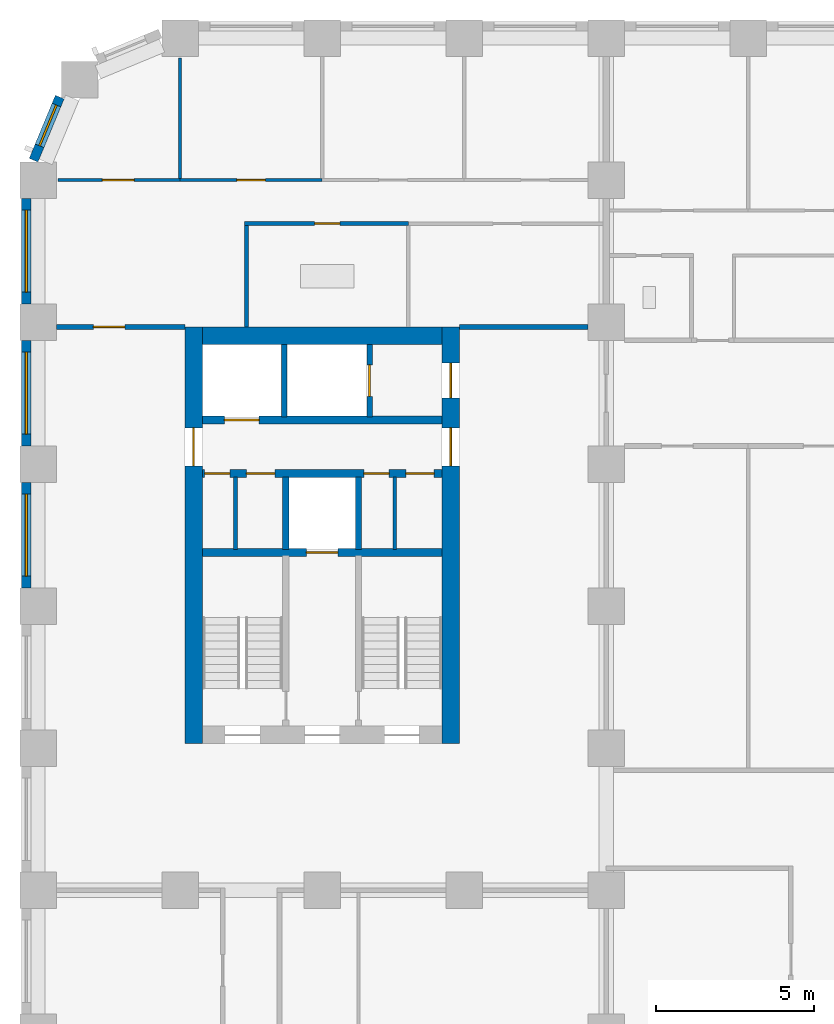
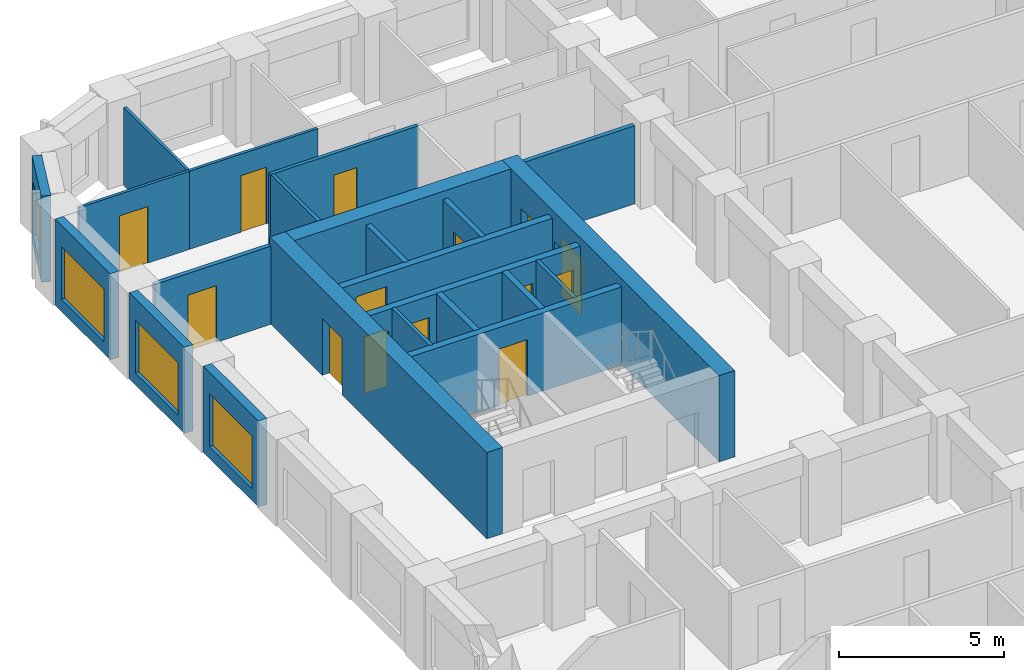
# One storey, part 6 of 13: 23 walls, 14 doors, 4 windows, 18 openings.
"""IFC4 building model written with IfcOpenShell, lengths in metres."""

from ifc_helpers import new_model, si_unit, direction, frame, frame_2d, origin, place, context, subcontext, project, spatial, rectangle, extrude, material, layer, layer_set, type_object, element, fill, save


model = new_model("IFC4")

# Units and contexts
model_context = context("Model", 3, precision=1e-05, world=origin(), true_north=direction((0.0, 1.0)))
body_context = subcontext(model_context, "Body", "Model", "MODEL_VIEW")
ifc_project = project(units=[si_unit("LENGTHUNIT", "METRE"), si_unit("AREAUNIT", "SQUARE_METRE"), si_unit("VOLUMEUNIT", "CUBIC_METRE"), si_unit("PLANEANGLEUNIT", "RADIAN"), si_unit("MASSUNIT", "GRAM", prefix="KILO")], contexts=[model_context])

# Site, building, storey
site_placement = place(None, origin())
site = spatial("IfcSite", under=ifc_project, at=site_placement, CompositionType="ELEMENT")
building_placement = place(site_placement, origin())
building = spatial("IfcBuilding", under=site, at=building_placement, Name="Girih Gate Residences", CompositionType="ELEMENT")
storey_placement = place(building_placement, frame((0.0, 0.0, 96.0)))
storey = spatial("IfcBuildingStorey", under=building, at=storey_placement, Name="L26", CompositionType="ELEMENT", Elevation=96.0)

# Wall, opening, door
ifc_material_1 = material(Name="Gypsum board on steel studs", Category="steel")
ifc_layer_1 = layer(ifc_material_1, 0.14990234375)
ifc_layer_set_1 = layer_set([ifc_layer_1], Name="Compartment wall 150 mm")
wall_type_1 = type_object("IfcWallType", Name="Compartment wall 150 mm", PredefinedType="PARTITIONING", material=ifc_layer_set_1)
wall_1_placement = place(storey_placement, frame((0.574951171875, 40.35009765625, 0.0), z_axis=(0.0, 0.0, 1.0), x_axis=(1.0, 0.0, 0.0)))
wall_1 = element("IfcWall", 1, at=wall_1_placement, inside=storey, type_object=wall_type_1, Name="L26 partition", PredefinedType="PARTITIONING", context=body_context, shape_type="SweptSolid", body=[
    extrude(rectangle(XDim=4.074951171875, YDim=0.14990234375, at=frame_2d((2.03759765625, 0.0))), origin(), (0.0, 0.0, 1.0), 2.89990234375),
])
opening_1_placement = place(wall_1_placement, frame((1.175048828125, 0.0, 0.0)))
opening_1 = element("IfcOpeningElement", 2, at=opening_1_placement, cuts=wall_1, Name="Opening A26-014", PredefinedType="OPENING", context=body_context, shape_type="SweptSolid", body=[
    extrude(rectangle(XDim=1.0, YDim=2.10009765625, at=frame_2d((0.5, 1.050048828125))), frame((0.0, 0.0849609375, 0.0), z_axis=(0.0, -1.0, 0.0), x_axis=(1.0, 0.0, 0.0)), (0.0, 0.0, 1.0), 0.169921875),
])
ifc_material_2 = material(Name="Timber, fire-rated core", Category="wood")
door_type_1 = type_object("IfcDoorType", Name="Flat entrance door 1000x2100 FD30S", OperationType="NOTDEFINED", PredefinedType="DOOR", material=ifc_material_2)
door_1_placement = place(opening_1_placement, origin())
door_1 = element("IfcDoor", 3, at=door_1_placement, inside=storey, type_object=door_type_1, Name="Door A26-014", OperationType="SINGLE_SWING_LEFT", OverallHeight=2.10009765625, OverallWidth=1.0, PredefinedType="DOOR", context=body_context, shape_type="SweptSolid", body=[
    extrude(rectangle(XDim=1.0, YDim=2.10009765625, at=frame_2d((0.5, 1.050048828125))), frame((0.0, 0.02490234375, 0.0), z_axis=(0.0, -1.0, 0.0), x_axis=(1.0, 0.0, 0.0)), (0.0, 0.0, 1.0), 0.050048828125),
])
fill(opening_1, door_1)

# Walls
wall_2_placement = place(storey_placement, frame((13.35009765625, 40.35009765625, 0.0), z_axis=(0.0, 0.0, 1.0), x_axis=(1.0, 0.0, 0.0)))
element("IfcWall", 4, at=wall_2_placement, inside=storey, type_object=wall_type_1, Name="L26 partition", PredefinedType="PARTITIONING", context=body_context, shape_type="SweptSolid", body=[
    extrude(rectangle(XDim=4.074951171875, YDim=0.14990234375, at=frame_2d((2.03759765625, 0.0))), origin(), (0.0, 0.0, 1.0), 2.89990234375),
])
ifc_material_3 = material(Name="Concrete C60/75", Category="concrete")
ifc_layer_2 = layer(ifc_material_3, 0.550048828125)
ifc_layer_set_2 = layer_set([ifc_layer_2], Name="Core wall RC 550 Concrete C60/75")
wall_type_2 = type_object("IfcWallType", Name="Core wall RC 550 Concrete C60/75", PredefinedType="SOLIDWALL", material=ifc_layer_set_2)
wall_3_placement = place(storey_placement, frame((5.199951171875, 40.074951171875, 0.0), z_axis=(0.0, 0.0, 1.0), x_axis=(1.0, 0.0, 0.0)))
element("IfcWall", 5, at=wall_3_placement, inside=storey, type_object=wall_type_2, Name="Core wall W-N L26", PredefinedType="SOLIDWALL", context=body_context, shape_type="SweptSolid", body=[
    extrude(rectangle(XDim=7.60009765625, YDim=0.550048828125, at=frame_2d((3.800048828125, 0.0))), origin(), (0.0, 0.0, 1.0), 3.199951171875),
])

# Wall, opening, door
wall_4_placement = place(storey_placement, frame((4.925048828125, 27.14990234375, 0.0), z_axis=(0.0, 0.0, 1.0), x_axis=(0.0, 1.0, 0.0)))
wall_4 = element("IfcWall", 6, at=wall_4_placement, inside=storey, type_object=wall_type_2, Name="Core wall W-W L26", PredefinedType="SOLIDWALL", context=body_context, shape_type="SweptSolid", body=[
    extrude(rectangle(XDim=13.2001953125, YDim=0.550048828125, at=frame_2d((6.60009765625, 0.0))), origin(), (0.0, 0.0, 1.0), 3.199951171875),
])
opening_2_placement = place(wall_4_placement, frame((8.800048828125, 0.0, 0.0)))
opening_2 = element("IfcOpeningElement", 7, at=opening_2_placement, cuts=wall_4, Name="Opening D-L26-W-014", PredefinedType="OPENING", context=body_context, shape_type="SweptSolid", body=[
    extrude(rectangle(XDim=1.199951171875, YDim=2.10009765625, at=frame_2d((0.60009765625, 1.050048828125))), frame((0.0, 0.284912109375, 0.0), z_axis=(0.0, -1.0, 0.0), x_axis=(1.0, 0.0, 0.0)), (0.0, 0.0, 1.0), 0.570068359375),
])
ifc_material_4 = material(Name="Painted steel, fire-resisting", Category="steel")
door_type_2 = type_object("IfcDoorType", Name="Fire door 1200x2100", OperationType="SINGLE_SWING_LEFT", PredefinedType="DOOR", material=ifc_material_4)
door_2_placement = place(opening_2_placement, origin())
door_2 = element("IfcDoor", 8, at=door_2_placement, inside=storey, type_object=door_type_2, Name="L26 W core door ll-w", OperationType="SINGLE_SWING_LEFT", OverallHeight=2.10009765625, OverallWidth=1.199951171875, PredefinedType="DOOR", context=body_context, shape_type="SweptSolid", body=[
    extrude(rectangle(XDim=1.199951171875, YDim=2.10009765625, at=frame_2d((0.60009765625, 1.050048828125))), frame((0.0, 0.02490234375, 0.0), z_axis=(0.0, -1.0, 0.0), x_axis=(1.0, 0.0, 0.0)), (0.0, 0.0, 1.0), 0.050048828125),
])
fill(opening_2, door_2)

# Wall, openings, doors
wall_5_placement = place(storey_placement, frame((13.074951171875, 27.14990234375, 0.0), z_axis=(0.0, 0.0, 1.0), x_axis=(0.0, 1.0, 0.0)))
wall_5 = element("IfcWall", 9, at=wall_5_placement, inside=storey, type_object=wall_type_2, Name="Core wall W-E L26", PredefinedType="SOLIDWALL", context=body_context, shape_type="SweptSolid", body=[
    extrude(rectangle(XDim=13.2001953125, YDim=0.550048828125, at=frame_2d((6.60009765625, 0.0))), origin(), (0.0, 0.0, 1.0), 3.199951171875),
])
opening_3_placement = place(wall_5_placement, frame((10.949951171875, 0.0, 0.0)))
opening_3 = element("IfcOpeningElement", 10, at=opening_3_placement, cuts=wall_5, Name="Opening D-L26-W-013", PredefinedType="OPENING", context=body_context, shape_type="SweptSolid", body=[
    extrude(rectangle(XDim=1.10009765625, YDim=2.10009765625, at=frame_2d((0.550048828125, 1.050048828125))), frame((0.0, 0.284912109375, 0.0), z_axis=(0.0, -1.0, 0.0), x_axis=(1.0, 0.0, 0.0)), (0.0, 0.0, 1.0), 0.570068359375),
])
opening_4_placement = place(wall_5_placement, frame((8.800048828125, 0.0, 0.0)))
opening_4 = element("IfcOpeningElement", 11, at=opening_4_placement, cuts=wall_5, Name="Opening D-L26-W-015", PredefinedType="OPENING", context=body_context, shape_type="SweptSolid", body=[
    extrude(rectangle(XDim=1.199951171875, YDim=2.10009765625, at=frame_2d((0.60009765625, 1.050048828125))), frame((0.0, 0.284912109375, 0.0), z_axis=(0.0, -1.0, 0.0), x_axis=(1.0, 0.0, 0.0)), (0.0, 0.0, 1.0), 0.570068359375),
])
door_type_3 = type_object("IfcDoorType", Name="Fire door 1100x2100", OperationType="SINGLE_SWING_LEFT", PredefinedType="DOOR", material=ifc_material_4)
door_3_placement = place(opening_3_placement, origin())
door_3 = element("IfcDoor", 12, at=door_3_placement, inside=storey, type_object=door_type_3, Name="L26 W core door ffl2-e", OperationType="SINGLE_SWING_LEFT", OverallHeight=2.10009765625, OverallWidth=1.10009765625, PredefinedType="DOOR", context=body_context, shape_type="SweptSolid", body=[
    extrude(rectangle(XDim=1.10009765625, YDim=2.10009765625, at=frame_2d((0.550048828125, 1.050048828125))), frame((0.0, 0.02490234375, 0.0), z_axis=(0.0, -1.0, 0.0), x_axis=(1.0, 0.0, 0.0)), (0.0, 0.0, 1.0), 0.050048828125),
])
fill(opening_3, door_3)
door_4_placement = place(opening_4_placement, origin())
door_4 = element("IfcDoor", 13, at=door_4_placement, inside=storey, type_object=door_type_2, Name="L26 W core door ll-e", OperationType="SINGLE_SWING_LEFT", OverallHeight=2.10009765625, OverallWidth=1.199951171875, PredefinedType="DOOR", context=body_context, shape_type="SweptSolid", body=[
    extrude(rectangle(XDim=1.199951171875, YDim=2.10009765625, at=frame_2d((0.60009765625, 1.050048828125))), frame((0.0, 0.02490234375, 0.0), z_axis=(0.0, -1.0, 0.0), x_axis=(1.0, 0.0, 0.0)), (0.0, 0.0, 1.0), 0.050048828125),
])
fill(opening_4, door_4)

# Wall, opening, door
ifc_material_5 = material(Name="Concrete C40/50", Category="concrete")
ifc_layer_3 = layer(ifc_material_5, 0.25)
ifc_layer_set_3 = layer_set([ifc_layer_3], Name="Lift shaft wall 250")
wall_type_3 = type_object("IfcWallType", Name="Lift shaft wall 250", PredefinedType="SOLIDWALL", material=ifc_layer_set_3)
wall_6_placement = place(storey_placement, frame((5.199951171875, 33.199951171875, 0.0), z_axis=(0.0, 0.0, 1.0), x_axis=(1.0, 0.0, 0.0)))
wall_6 = element("IfcWall", 14, at=wall_6_placement, inside=storey, type_object=wall_type_3, Name="L26 W core wall H1", PredefinedType="SOLIDWALL", context=body_context, shape_type="SweptSolid", body=[
    extrude(rectangle(XDim=7.60009765625, YDim=0.25, at=frame_2d((3.800048828125, 0.0))), origin(), (0.0, 0.0, 1.0), 2.89990234375),
])
opening_5_placement = place(wall_6_placement, frame((3.300048828125, 0.0, 0.0)))
opening_5 = element("IfcOpeningElement", 15, at=opening_5_placement, cuts=wall_6, Name="Opening D-L26-W-005", PredefinedType="OPENING", context=body_context, shape_type="SweptSolid", body=[
    extrude(rectangle(XDim=1.0, YDim=2.10009765625, at=frame_2d((0.5, 1.050048828125))), frame((0.0, 0.135009765625, 0.0), z_axis=(0.0, -1.0, 0.0), x_axis=(1.0, 0.0, 0.0)), (0.0, 0.0, 1.0), 0.27001953125),
])
ifc_material_6 = material(Name="Stainless steel, fire-resisting", Category="steel")
door_type_4 = type_object("IfcDoorType", Name="Firefighting lift landing door 1000x2100", OperationType="SLIDING_TO_LEFT", PredefinedType="DOOR", material=ifc_material_6)
door_5_placement = place(opening_5_placement, origin())
door_5 = element("IfcDoor", 16, at=door_5_placement, inside=storey, type_object=door_type_4, Name="L26 lift FF-W landing door", OperationType="SLIDING_TO_LEFT", OverallHeight=2.10009765625, OverallWidth=1.0, PredefinedType="DOOR", context=body_context, shape_type="SweptSolid", body=[
    extrude(rectangle(XDim=1.0, YDim=2.10009765625, at=frame_2d((0.5, 1.050048828125))), frame((0.0, 0.02490234375, 0.0), z_axis=(0.0, -1.0, 0.0), x_axis=(1.0, 0.0, 0.0)), (0.0, 0.0, 1.0), 0.050048828125),
])
fill(opening_5, door_5)

# Wall, openings, doors
wall_7_placement = place(storey_placement, frame((5.199951171875, 35.699951171875, 0.0), z_axis=(0.0, 0.0, 1.0), x_axis=(1.0, 0.0, 0.0)))
wall_7 = element("IfcWall", 17, at=wall_7_placement, inside=storey, type_object=wall_type_3, Name="L26 W core wall H2", PredefinedType="SOLIDWALL", context=body_context, shape_type="SweptSolid", body=[
    extrude(rectangle(XDim=7.60009765625, YDim=0.25, at=frame_2d((3.800048828125, 0.0))), origin(), (0.0, 0.0, 1.0), 2.89990234375),
])
opening_6_placement = place(wall_7_placement, frame((0.074951171875, 0.0, 0.0)))
opening_6 = element("IfcOpeningElement", 18, at=opening_6_placement, cuts=wall_7, Name="Opening D-L26-W-006", PredefinedType="OPENING", context=body_context, shape_type="SweptSolid", body=[
    extrude(rectangle(XDim=0.800048828125, YDim=2.10009765625, at=frame_2d((0.39990234375, 1.050048828125))), frame((0.0, 0.135009765625, 0.0), z_axis=(0.0, -1.0, 0.0), x_axis=(1.0, 0.0, 0.0)), (0.0, 0.0, 1.0), 0.27001953125),
])
opening_7_placement = place(wall_7_placement, frame((1.39990234375, 0.0, 0.0)))
opening_7 = element("IfcOpeningElement", 19, at=opening_7_placement, cuts=wall_7, Name="Opening D-L26-W-007", PredefinedType="OPENING", context=body_context, shape_type="SweptSolid", body=[
    extrude(rectangle(XDim=0.89990234375, YDim=2.10009765625, at=frame_2d((0.449951171875, 1.050048828125))), frame((0.0, 0.135009765625, 0.0), z_axis=(0.0, -1.0, 0.0), x_axis=(1.0, 0.0, 0.0)), (0.0, 0.0, 1.0), 0.27001953125),
])
opening_8_placement = place(wall_7_placement, frame((5.125, 0.0, 0.0)))
opening_8 = element("IfcOpeningElement", 20, at=opening_8_placement, cuts=wall_7, Name="Opening D-L26-W-008", PredefinedType="OPENING", context=body_context, shape_type="SweptSolid", body=[
    extrude(rectangle(XDim=0.800048828125, YDim=2.10009765625, at=frame_2d((0.39990234375, 1.050048828125))), frame((0.0, 0.135009765625, 0.0), z_axis=(0.0, -1.0, 0.0), x_axis=(1.0, 0.0, 0.0)), (0.0, 0.0, 1.0), 0.27001953125),
])
opening_9_placement = place(wall_7_placement, frame((6.449951171875, 0.0, 0.0)))
opening_9 = element("IfcOpeningElement", 21, at=opening_9_placement, cuts=wall_7, Name="Opening D-L26-W-009", PredefinedType="OPENING", context=body_context, shape_type="SweptSolid", body=[
    extrude(rectangle(XDim=0.89990234375, YDim=2.10009765625, at=frame_2d((0.449951171875, 1.050048828125))), frame((0.0, 0.135009765625, 0.0), z_axis=(0.0, -1.0, 0.0), x_axis=(1.0, 0.0, 0.0)), (0.0, 0.0, 1.0), 0.27001953125),
])
door_type_5 = type_object("IfcDoorType", Name="Fire door 800x2100", OperationType="SINGLE_SWING_LEFT", PredefinedType="DOOR", material=ifc_material_4)
door_6_placement = place(opening_6_placement, origin())
door_6 = element("IfcDoor", 22, at=door_6_placement, inside=storey, type_object=door_type_5, Name="L26 W cleaners store door", OperationType="SINGLE_SWING_LEFT", OverallHeight=2.10009765625, OverallWidth=0.800048828125, PredefinedType="DOOR", context=body_context, shape_type="SweptSolid", body=[
    extrude(rectangle(XDim=0.800048828125, YDim=2.10009765625, at=frame_2d((0.39990234375, 1.050048828125))), frame((0.0, 0.02490234375, 0.0), z_axis=(0.0, -1.0, 0.0), x_axis=(1.0, 0.0, 0.0)), (0.0, 0.0, 1.0), 0.050048828125),
])
fill(opening_6, door_6)
door_7_placement = place(opening_8_placement, origin())
door_7 = element("IfcDoor", 23, at=door_7_placement, inside=storey, type_object=door_type_5, Name="L26 W electrical room door", OperationType="SINGLE_SWING_LEFT", OverallHeight=2.10009765625, OverallWidth=0.800048828125, PredefinedType="DOOR", context=body_context, shape_type="SweptSolid", body=[
    extrude(rectangle(XDim=0.800048828125, YDim=2.10009765625, at=frame_2d((0.39990234375, 1.050048828125))), frame((0.0, 0.02490234375, 0.0), z_axis=(0.0, -1.0, 0.0), x_axis=(1.0, 0.0, 0.0)), (0.0, 0.0, 1.0), 0.050048828125),
])
fill(opening_8, door_7)
door_type_6 = type_object("IfcDoorType", Name="Fire door 900x2100", OperationType="SINGLE_SWING_LEFT", PredefinedType="DOOR", material=ifc_material_4)
door_8_placement = place(opening_7_placement, origin())
door_8 = element("IfcDoor", 24, at=door_8_placement, inside=storey, type_object=door_type_6, Name="L26 W riser room door", OperationType="SINGLE_SWING_LEFT", OverallHeight=2.10009765625, OverallWidth=0.89990234375, PredefinedType="DOOR", context=body_context, shape_type="SweptSolid", body=[
    extrude(rectangle(XDim=0.89990234375, YDim=2.10009765625, at=frame_2d((0.449951171875, 1.050048828125))), frame((0.0, 0.02490234375, 0.0), z_axis=(0.0, -1.0, 0.0), x_axis=(1.0, 0.0, 0.0)), (0.0, 0.0, 1.0), 0.050048828125),
])
fill(opening_7, door_8)
door_9_placement = place(opening_9_placement, origin())
door_9 = element("IfcDoor", 25, at=door_9_placement, inside=storey, type_object=door_type_6, Name="L26 W linen store door", OperationType="SINGLE_SWING_LEFT", OverallHeight=2.10009765625, OverallWidth=0.89990234375, PredefinedType="DOOR", context=body_context, shape_type="SweptSolid", body=[
    extrude(rectangle(XDim=0.89990234375, YDim=2.10009765625, at=frame_2d((0.449951171875, 1.050048828125))), frame((0.0, 0.02490234375, 0.0), z_axis=(0.0, -1.0, 0.0), x_axis=(1.0, 0.0, 0.0)), (0.0, 0.0, 1.0), 0.050048828125),
])
fill(opening_9, door_9)

# Wall, opening, door
wall_8_placement = place(storey_placement, frame((5.199951171875, 37.39990234375, 0.0), z_axis=(0.0, 0.0, 1.0), x_axis=(1.0, 0.0, 0.0)))
wall_8 = element("IfcWall", 26, at=wall_8_placement, inside=storey, type_object=wall_type_3, Name="L26 W core wall H3", PredefinedType="SOLIDWALL", context=body_context, shape_type="SweptSolid", body=[
    extrude(rectangle(XDim=7.60009765625, YDim=0.25, at=frame_2d((3.800048828125, 0.0))), origin(), (0.0, 0.0, 1.0), 2.89990234375),
])
opening_10_placement = place(wall_8_placement, frame((0.699951171875, 0.0, 0.0)))
opening_10 = element("IfcOpeningElement", 27, at=opening_10_placement, cuts=wall_8, Name="Opening D-L26-W-003", PredefinedType="OPENING", context=body_context, shape_type="SweptSolid", body=[
    extrude(rectangle(XDim=1.10009765625, YDim=2.39990234375, at=frame_2d((0.550048828125, 1.199951171875))), frame((0.0, 0.135009765625, 0.0), z_axis=(0.0, -1.0, 0.0), x_axis=(1.0, 0.0, 0.0)), (0.0, 0.0, 1.0), 0.27001953125),
])
ifc_material_7 = material(Name="Stainless steel", Category="steel")
door_type_7 = type_object("IfcDoorType", Name="Lift landing door 1100x2400", OperationType="SLIDING_TO_LEFT", PredefinedType="DOOR", material=ifc_material_7)
door_10_placement = place(opening_10_placement, origin())
door_10 = element("IfcDoor", 28, at=door_10_placement, inside=storey, type_object=door_type_7, Name="L26 lift LR-W1 landing door", OperationType="SLIDING_TO_LEFT", OverallHeight=2.39990234375, OverallWidth=1.10009765625, PredefinedType="DOOR", context=body_context, shape_type="SweptSolid", body=[
    extrude(rectangle(XDim=1.10009765625, YDim=2.39990234375, at=frame_2d((0.550048828125, 1.199951171875))), frame((0.0, 0.02490234375, 0.0), z_axis=(0.0, -1.0, 0.0), x_axis=(1.0, 0.0, 0.0)), (0.0, 0.0, 1.0), 0.050048828125),
])
fill(opening_10, door_10)

ifc_layer_4 = layer(ifc_material_1, 0.10009765625)
ifc_layer_set_4 = layer_set([ifc_layer_4], Name="Partition 100 mm")
wall_type_4 = type_object("IfcWallType", Name="Partition 100 mm", PredefinedType="PARTITIONING", material=ifc_layer_set_4)
wall_9_placement = place(storey_placement, frame((4.5, 45.0, 0.0), z_axis=(0.0, 0.0, 1.0), x_axis=(1.0, 0.0, 0.0)))
wall_9 = element("IfcWall", 29, at=wall_9_placement, inside=storey, type_object=wall_type_4, Name="L26 partition", PredefinedType="PARTITIONING", context=body_context, shape_type="SweptSolid", body=[
    extrude(rectangle(XDim=4.5, YDim=0.10009765625, at=frame_2d((2.25, 0.0))), origin(), (0.0, 0.0, 1.0), 2.89990234375),
])
opening_11_placement = place(wall_9_placement, frame((1.800048828125, 0.0, 0.0)))
opening_11 = element("IfcOpeningElement", 30, at=opening_11_placement, cuts=wall_9, Name="Opening A26-009", PredefinedType="OPENING", context=body_context, shape_type="SweptSolid", body=[
    extrude(rectangle(XDim=0.89990234375, YDim=2.10009765625, at=frame_2d((0.449951171875, 1.050048828125))), frame((0.0, 0.06005859375, 0.0), z_axis=(0.0, -1.0, 0.0), x_axis=(1.0, 0.0, 0.0)), (0.0, 0.0, 1.0), 0.1201171875),
])
ifc_material_8 = material(Name="Timber", Category="wood")
door_type_8 = type_object("IfcDoorType", Name="Bedroom door 900x2100", OperationType="NOTDEFINED", PredefinedType="DOOR", material=ifc_material_8)
door_11_placement = place(opening_11_placement, origin())
door_11 = element("IfcDoor", 31, at=door_11_placement, inside=storey, type_object=door_type_8, Name="Door A26-009", OperationType="SINGLE_SWING_RIGHT", OverallHeight=2.10009765625, OverallWidth=0.89990234375, PredefinedType="DOOR", context=body_context, shape_type="SweptSolid", body=[
    extrude(rectangle(XDim=0.89990234375, YDim=2.10009765625, at=frame_2d((0.449951171875, 1.050048828125))), frame((0.0, 0.02490234375, 0.0), z_axis=(0.0, -1.0, 0.0), x_axis=(1.0, 0.0, 0.0)), (0.0, 0.0, 1.0), 0.050048828125),
])
fill(opening_11, door_11)

# Wall
wall_10_placement = place(storey_placement, frame((4.5, 45.050048828125, 0.0), z_axis=(0.0, 0.0, 1.0), x_axis=(0.0, 1.0, 0.0)))
element("IfcWall", 32, at=wall_10_placement, inside=storey, type_object=wall_type_4, Name="L26 partition", PredefinedType="PARTITIONING", context=body_context, shape_type="SweptSolid", body=[
    extrude(rectangle(XDim=3.82763671875, YDim=0.10009765625, at=frame_2d((1.913818359375, 0.0))), origin(), (0.0, 0.0, 1.0), 2.89990234375),
])

# Wall, opening, door
wall_11_placement = place(storey_placement, frame((0.622314453125, 45.0, 0.0), z_axis=(0.0, 0.0, 1.0), x_axis=(1.0, 0.0, 0.0)))
wall_11 = element("IfcWall", 33, at=wall_11_placement, inside=storey, type_object=wall_type_4, Name="L26 partition", PredefinedType="PARTITIONING", context=body_context, shape_type="SweptSolid", body=[
    extrude(rectangle(XDim=3.877685546875, YDim=0.10009765625, at=frame_2d((1.93896484375, 0.0))), origin(), (0.0, 0.0, 1.0), 2.89990234375),
])
opening_12_placement = place(wall_11_placement, frame((1.4150390625, 0.0, 0.0)))
opening_12 = element("IfcOpeningElement", 34, at=opening_12_placement, cuts=wall_11, Name="Opening A26-013", PredefinedType="OPENING", context=body_context, shape_type="SweptSolid", body=[
    extrude(rectangle(XDim=1.0, YDim=2.10009765625, at=frame_2d((0.5, 1.050048828125))), frame((0.0, 0.06005859375, 0.0), z_axis=(0.0, -1.0, 0.0), x_axis=(1.0, 0.0, 0.0)), (0.0, 0.0, 1.0), 0.1201171875),
])
door_type_9 = type_object("IfcDoorType", Name="Living room door 1000x2100", OperationType="NOTDEFINED", PredefinedType="DOOR", material=ifc_material_8)
door_12_placement = place(opening_12_placement, origin())
door_12 = element("IfcDoor", 35, at=door_12_placement, inside=storey, type_object=door_type_9, Name="Door A26-013", OperationType="SINGLE_SWING_LEFT", OverallHeight=2.10009765625, OverallWidth=1.0, PredefinedType="DOOR", context=body_context, shape_type="SweptSolid", body=[
    extrude(rectangle(XDim=1.0, YDim=2.10009765625, at=frame_2d((0.5, 1.050048828125))), frame((0.0, 0.02490234375, 0.0), z_axis=(0.0, -1.0, 0.0), x_axis=(1.0, 0.0, 0.0)), (0.0, 0.0, 1.0), 0.050048828125),
])
fill(opening_12, door_12)

# Wall, opening, window
ifc_material_9 = material(Name="Precast concrete C50/60", Category="concrete")
ifc_layer_5 = layer(ifc_material_9, 0.080078125, Name="Outer leaf")
ifc_material_10 = material(Name="Rigid PIR insulation")
ifc_layer_6 = layer(ifc_material_10, 0.14990234375, Name="Insulation")
ifc_material_11 = material(Name="Precast concrete C40/50", Category="concrete")
ifc_layer_7 = layer(ifc_material_11, 0.070068359375, Name="Inner leaf")
ifc_layer_set_5 = layer_set([ifc_layer_5, ifc_layer_6, ifc_layer_7], Name="Precast concrete C50/60 external wall 300")
wall_type_5 = type_object("IfcWallType", Name="Precast concrete C50/60 external wall 300", PredefinedType="SOLIDWALL", material=ifc_layer_set_5)
wall_12_placement = place(storey_placement, frame((-0.14404296875, 45.63232421875, 0.0), z_axis=(0.0, 0.0, 1.0), x_axis=(0.382723818695, 0.923862802911, 0.0)))
wall_12 = element("IfcWall", 36, at=wall_12_placement, inside=storey, type_object=wall_type_5, Name="External wall NW0013_0482.0", PredefinedType="SOLIDWALL", context=body_context, shape_type="SweptSolid", body=[
    extrude(rectangle(XDim=2.163818359375, YDim=0.300048828125, at=frame_2d((1.08203125, 0.0))), origin(), (0.0, 0.0, 1.0), 3.199951171875),
])
opening_13_placement = place(wall_12_placement, frame((0.492919921875, 0.0, 0.449951171875)))
opening_13 = element("IfcOpeningElement", 37, at=opening_13_placement, cuts=wall_12, Name="Opening W-2D", PredefinedType="OPENING", context=body_context, shape_type="SweptSolid", body=[
    extrude(rectangle(XDim=1.39990234375, YDim=1.949951171875, at=frame_2d((0.699951171875, 0.97509765625))), frame((0.0, 0.159912109375, 0.0), z_axis=(0.0, -1.0, 0.0), x_axis=(1.0, 0.0, 0.0)), (0.0, 0.0, 1.0), 0.320068359375),
])
ifc_material_12 = material(Name="Double glazing in aluminium frame", Category="aluminium")
window_type_1 = type_object("IfcWindowType", Name="Window W-2D 1400x1950", PartitioningType="SINGLE_PANEL", PredefinedType="WINDOW", material=ifc_material_12)
window_1_placement = place(opening_13_placement, origin())
window_1 = element("IfcWindow", 38, at=window_1_placement, inside=storey, type_object=window_type_1, Name="Window W-2D NW0013_0482.0", OverallHeight=1.949951171875, OverallWidth=1.39990234375, PartitioningType="SINGLE_PANEL", PredefinedType="WINDOW", context=body_context, shape_type="SweptSolid", body=[
    extrude(rectangle(XDim=1.39990234375, YDim=1.949951171875, at=frame_2d((0.699951171875, 0.97509765625))), frame((0.0, 0.030029296875, 0.0), z_axis=(0.0, -1.0, 0.0), x_axis=(1.0, 0.0, 0.0)), (0.0, 0.0, 1.0), 0.06005859375),
])
fill(opening_13, window_1)

wall_13_placement = place(storey_placement, frame((-0.375, 41.074951171875, 0.0), z_axis=(0.0, 0.0, 1.0), x_axis=(0.0, 1.0, 0.0)))
wall_13 = element("IfcWall", 39, at=wall_13_placement, inside=storey, type_object=wall_type_5, Name="External wall W0000_0450.0", PredefinedType="SOLIDWALL", context=body_context, shape_type="SweptSolid", body=[
    extrude(rectangle(XDim=3.35009765625, YDim=0.300048828125, at=frame_2d((1.675048828125, 0.0))), origin(), (0.0, 0.0, 1.0), 3.199951171875),
])
opening_14_placement = place(wall_13_placement, frame((0.375, 0.0, 0.449951171875)))
opening_14 = element("IfcOpeningElement", 40, at=opening_14_placement, cuts=wall_13, Name="Opening W-1A", PredefinedType="OPENING", context=body_context, shape_type="SweptSolid", body=[
    extrude(rectangle(XDim=2.60009765625, YDim=1.949951171875, at=frame_2d((1.300048828125, 0.97509765625))), frame((0.0, 0.159912109375, 0.0), z_axis=(0.0, -1.0, 0.0), x_axis=(1.0, 0.0, 0.0)), (0.0, 0.0, 1.0), 0.320068359375),
])
window_type_2 = type_object("IfcWindowType", Name="Window W-1A 2600x1950", PartitioningType="SINGLE_PANEL", PredefinedType="WINDOW", material=ifc_material_12)
window_2_placement = place(opening_14_placement, origin())
window_2 = element("IfcWindow", 41, at=window_2_placement, inside=storey, type_object=window_type_2, Name="Window W-1A W0000_0450.0", OverallHeight=1.949951171875, OverallWidth=2.60009765625, PartitioningType="SINGLE_PANEL", PredefinedType="WINDOW", context=body_context, shape_type="SweptSolid", body=[
    extrude(rectangle(XDim=2.60009765625, YDim=1.949951171875, at=frame_2d((1.300048828125, 0.97509765625))), frame((0.0, 0.030029296875, 0.0), z_axis=(0.0, -1.0, 0.0), x_axis=(1.0, 0.0, 0.0)), (0.0, 0.0, 1.0), 0.06005859375),
])
fill(opening_14, window_2)

wall_14_placement = place(storey_placement, frame((-0.375, 36.574951171875, 0.0), z_axis=(0.0, 0.0, 1.0), x_axis=(0.0, 1.0, 0.0)))
wall_14 = element("IfcWall", 42, at=wall_14_placement, inside=storey, type_object=wall_type_5, Name="External wall W0000_0450.1", PredefinedType="SOLIDWALL", context=body_context, shape_type="SweptSolid", body=[
    extrude(rectangle(XDim=3.35009765625, YDim=0.300048828125, at=frame_2d((1.675048828125, 0.0))), origin(), (0.0, 0.0, 1.0), 3.199951171875),
])
opening_15_placement = place(wall_14_placement, frame((0.375, 0.0, 0.449951171875)))
opening_15 = element("IfcOpeningElement", 43, at=opening_15_placement, cuts=wall_14, Name="Opening W-1A", PredefinedType="OPENING", context=body_context, shape_type="SweptSolid", body=[
    extrude(rectangle(XDim=2.60009765625, YDim=1.949951171875, at=frame_2d((1.300048828125, 0.97509765625))), frame((0.0, 0.159912109375, 0.0), z_axis=(0.0, -1.0, 0.0), x_axis=(1.0, 0.0, 0.0)), (0.0, 0.0, 1.0), 0.320068359375),
])
window_3_placement = place(opening_15_placement, origin())
window_3 = element("IfcWindow", 44, at=window_3_placement, inside=storey, type_object=window_type_2, Name="Window W-1A W0000_0450.1", OverallHeight=1.949951171875, OverallWidth=2.60009765625, PartitioningType="SINGLE_PANEL", PredefinedType="WINDOW", context=body_context, shape_type="SweptSolid", body=[
    extrude(rectangle(XDim=2.60009765625, YDim=1.949951171875, at=frame_2d((1.300048828125, 0.97509765625))), frame((0.0, 0.030029296875, 0.0), z_axis=(0.0, -1.0, 0.0), x_axis=(1.0, 0.0, 0.0)), (0.0, 0.0, 1.0), 0.06005859375),
])
fill(opening_15, window_3)

wall_15_placement = place(storey_placement, frame((-0.375, 32.074951171875, 0.0), z_axis=(0.0, 0.0, 1.0), x_axis=(0.0, 1.0, 0.0)))
wall_15 = element("IfcWall", 45, at=wall_15_placement, inside=storey, type_object=wall_type_5, Name="External wall W0000_0450.2", PredefinedType="SOLIDWALL", context=body_context, shape_type="SweptSolid", body=[
    extrude(rectangle(XDim=3.35009765625, YDim=0.300048828125, at=frame_2d((1.675048828125, 0.0))), origin(), (0.0, 0.0, 1.0), 3.199951171875),
])
opening_16_placement = place(wall_15_placement, frame((0.375, 0.0, 0.449951171875)))
opening_16 = element("IfcOpeningElement", 46, at=opening_16_placement, cuts=wall_15, Name="Opening W-1A", PredefinedType="OPENING", context=body_context, shape_type="SweptSolid", body=[
    extrude(rectangle(XDim=2.60009765625, YDim=1.949951171875, at=frame_2d((1.300048828125, 0.97509765625))), frame((0.0, 0.159912109375, 0.0), z_axis=(0.0, -1.0, 0.0), x_axis=(1.0, 0.0, 0.0)), (0.0, 0.0, 1.0), 0.320068359375),
])
window_4_placement = place(opening_16_placement, origin())
window_4 = element("IfcWindow", 47, at=window_4_placement, inside=storey, type_object=window_type_2, Name="Window W-1A W0000_0450.2", OverallHeight=1.949951171875, OverallWidth=2.60009765625, PartitioningType="SINGLE_PANEL", PredefinedType="WINDOW", context=body_context, shape_type="SweptSolid", body=[
    extrude(rectangle(XDim=2.60009765625, YDim=1.949951171875, at=frame_2d((1.300048828125, 0.97509765625))), frame((0.0, 0.030029296875, 0.0), z_axis=(0.0, -1.0, 0.0), x_axis=(1.0, 0.0, 0.0)), (0.0, 0.0, 1.0), 0.06005859375),
])
fill(opening_16, window_4)

# Wall
ifc_layer_8 = layer(ifc_material_5, 0.175048828125)
ifc_layer_set_6 = layer_set([ifc_layer_8], Name="Riser shaft wall 175")
wall_type_6 = type_object("IfcWallType", Name="Riser shaft wall 175", PredefinedType="SOLIDWALL", material=ifc_layer_set_6)
wall_16_placement = place(storey_placement, frame((7.800048828125, 37.5, 0.0), z_axis=(0.0, 0.0, 1.0), x_axis=(0.0, 1.0, 0.0)))
element("IfcWall", 48, at=wall_16_placement, inside=storey, type_object=wall_type_6, Name="L26 W core wall V1c", PredefinedType="SOLIDWALL", context=body_context, shape_type="SweptSolid", body=[
    extrude(rectangle(XDim=2.300048828125, YDim=0.175048828125, at=frame_2d((1.14990234375, 0.0))), origin(), (0.0, 0.0, 1.0), 2.89990234375),
])

# Wall, opening, door
wall_17_placement = place(storey_placement, frame((10.5, 37.5, 0.0), z_axis=(0.0, 0.0, 1.0), x_axis=(0.0, 1.0, 0.0)))
wall_17 = element("IfcWall", 49, at=wall_17_placement, inside=storey, type_object=wall_type_6, Name="L26 W core wall V2c", PredefinedType="SOLIDWALL", context=body_context, shape_type="SweptSolid", body=[
    extrude(rectangle(XDim=2.300048828125, YDim=0.175048828125, at=frame_2d((1.14990234375, 0.0))), origin(), (0.0, 0.0, 1.0), 2.89990234375),
])
opening_17_placement = place(wall_17_placement, frame((0.64990234375, 0.0, 0.0)))
opening_17 = element("IfcOpeningElement", 50, at=opening_17_placement, cuts=wall_17, Name="Opening D-L26-W-004", PredefinedType="OPENING", context=body_context, shape_type="SweptSolid", body=[
    extrude(rectangle(XDim=1.0, YDim=2.10009765625, at=frame_2d((0.5, 1.050048828125))), frame((0.0, 0.097412109375, 0.0), z_axis=(0.0, -1.0, 0.0), x_axis=(1.0, 0.0, 0.0)), (0.0, 0.0, 1.0), 0.195068359375),
])
door_13_placement = place(opening_17_placement, origin())
door_13 = element("IfcDoor", 51, at=door_13_placement, inside=storey, type_object=door_type_4, Name="L26 lift FF-W2 landing door", OperationType="SLIDING_TO_LEFT", OverallHeight=2.10009765625, OverallWidth=1.0, PredefinedType="DOOR", context=body_context, shape_type="SweptSolid", body=[
    extrude(rectangle(XDim=1.0, YDim=2.10009765625, at=frame_2d((0.5, 1.050048828125))), frame((0.0, 0.02490234375, 0.0), z_axis=(0.0, -1.0, 0.0), x_axis=(1.0, 0.0, 0.0)), (0.0, 0.0, 1.0), 0.050048828125),
])
fill(opening_17, door_13)

# Walls
ifc_layer_9 = layer(ifc_material_5, 0.199951171875)
ifc_layer_set_7 = layer_set([ifc_layer_9], Name="Shaft wall 200")
wall_type_7 = type_object("IfcWallType", Name="Shaft wall 200", PredefinedType="SOLIDWALL", material=ifc_layer_set_7)
for number, where, z_axis, x_axis, name in (
    (52, (7.85009765625, 33.300048828125, 0.0), (0.0, 0.0, 1.0), (0.0, 1.0, 0.0), "L26 W core wall V1b"),
    (53, (10.14990234375, 33.300048828125, 0.0), (0.0, 0.0, 1.0), (0.0, 1.0, 0.0), "L26 W core wall V2b"),
):
    element("IfcWall", number, at=place(storey_placement, frame(where, z_axis=z_axis, x_axis=x_axis)), inside=storey, type_object=wall_type_7, Name=name, PredefinedType="SOLIDWALL", context=body_context, shape_type="SweptSolid", body=[
        extrude(rectangle(XDim=2.300048828125, YDim=0.199951171875, at=frame_2d((1.14990234375, 0.0))), origin(), (0.0, 0.0, 1.0), 2.89990234375),
    ])
ifc_material_13 = material(Name="Calcium silicate blockwork", Category="masonry")
ifc_layer_10 = layer(ifc_material_13, 0.125)
ifc_layer_set_8 = layer_set([ifc_layer_10], Name="Store partition 125")
wall_type_8 = type_object("IfcWallType", Name="Store partition 125", PredefinedType="PARTITIONING", material=ifc_layer_set_8)
for number, where, z_axis, x_axis, name in (
    (54, (6.25, 33.300048828125, 0.0), (0.0, 0.0, 1.0), (0.0, 1.0, 0.0), "L26 W core wall SHR1"),
    (55, (11.300048828125, 33.300048828125, 0.0), (0.0, 0.0, 1.0), (0.0, 1.0, 0.0), "L26 W core wall SHR2"),
):
    element("IfcWall", number, at=place(storey_placement, frame(where, z_axis=z_axis, x_axis=x_axis)), inside=storey, type_object=wall_type_8, Name=name, PredefinedType="PARTITIONING", context=body_context, shape_type="SweptSolid", body=[
        extrude(rectangle(XDim=2.300048828125, YDim=0.125, at=frame_2d((1.14990234375, 0.0))), origin(), (0.0, 0.0, 1.0), 2.89990234375),
    ])
ifc_layer_11 = layer(ifc_material_1, 0.125)
ifc_layer_set_9 = layer_set([ifc_layer_11], Name="Wet room wall 125 mm")
wall_type_9 = type_object("IfcWallType", Name="Wet room wall 125 mm", PredefinedType="PARTITIONING", material=ifc_layer_set_9)
wall_18_placement = place(storey_placement, frame((6.60009765625, 40.35009765625, 0.0), z_axis=(0.0, 0.0, 1.0), x_axis=(0.0, 1.0, 0.0)))
element("IfcWall", 56, at=wall_18_placement, inside=storey, type_object=wall_type_9, Name="L26 partition", PredefinedType="PARTITIONING", context=body_context, shape_type="SweptSolid", body=[
    extrude(rectangle(XDim=3.20751953125, YDim=0.125, at=frame_2d((1.603759765625, 0.0))), origin(), (0.0, 0.0, 1.0), 2.89990234375),
])

# Wall, opening, door
wall_19_placement = place(storey_placement, frame((11.72802734375, 43.6201171875, 0.0), z_axis=(0.0, 0.0, 1.0), x_axis=(-1.0, 0.0, 0.0)))
wall_19 = element("IfcWall", 57, at=wall_19_placement, inside=storey, type_object=wall_type_9, Name="L26 partition", PredefinedType="PARTITIONING", context=body_context, shape_type="SweptSolid", body=[
    extrude(rectangle(XDim=5.1904296875, YDim=0.125, at=frame_2d((2.59521484375, 0.0))), origin(), (0.0, 0.0, 1.0), 2.89990234375),
])
opening_18_placement = place(wall_19_placement, frame((2.1640625, 0.0, 0.0)))
opening_18 = element("IfcOpeningElement", 58, at=opening_18_placement, cuts=wall_19, Name="Opening A26-008", PredefinedType="OPENING", context=body_context, shape_type="SweptSolid", body=[
    extrude(rectangle(XDim=0.800048828125, YDim=2.10009765625, at=frame_2d((0.39990234375, 1.050048828125))), frame((0.0, 0.072509765625, 0.0), z_axis=(0.0, -1.0, 0.0), x_axis=(1.0, 0.0, 0.0)), (0.0, 0.0, 1.0), 0.14501953125),
])
door_type_10 = type_object("IfcDoorType", Name="Bathroom door 800x2100", OperationType="NOTDEFINED", PredefinedType="DOOR", material=ifc_material_8)
door_14_placement = place(opening_18_placement, origin())
door_14 = element("IfcDoor", 59, at=door_14_placement, inside=storey, type_object=door_type_10, Name="Door A26-008", OperationType="SINGLE_SWING_LEFT", OverallHeight=2.10009765625, OverallWidth=0.800048828125, PredefinedType="DOOR", context=body_context, shape_type="SweptSolid", body=[
    extrude(rectangle(XDim=0.800048828125, YDim=2.10009765625, at=frame_2d((0.39990234375, 1.050048828125))), frame((0.0, 0.02490234375, 0.0), z_axis=(0.0, -1.0, 0.0), x_axis=(1.0, 0.0, 0.0)), (0.0, 0.0, 1.0), 0.050048828125),
])
fill(opening_18, door_14)

save(model, "model.ifc")
